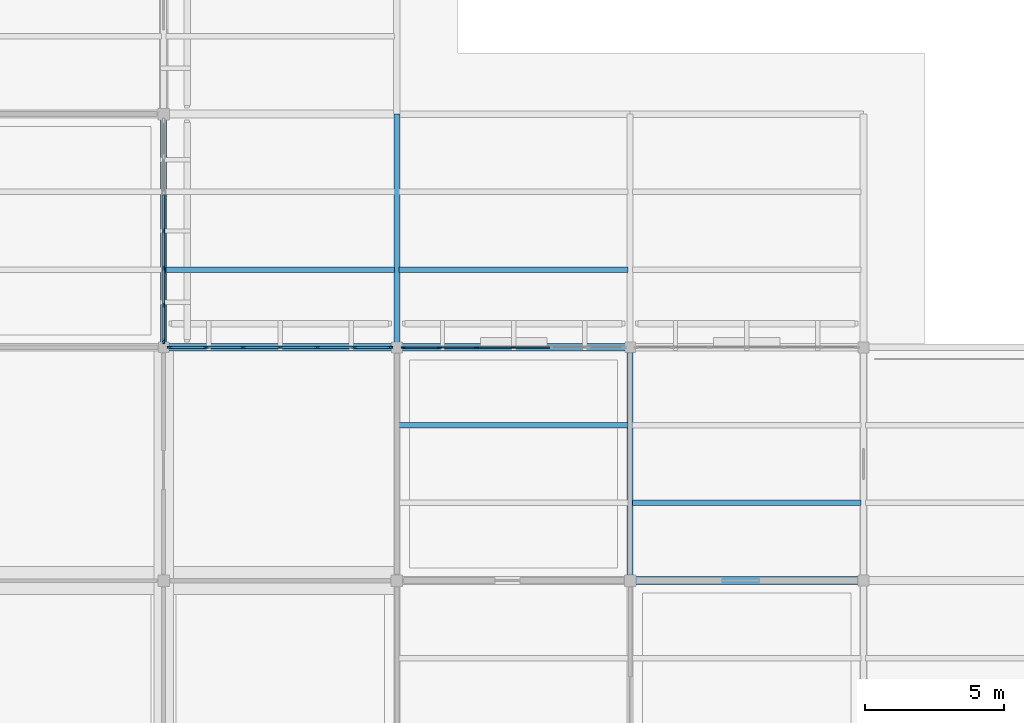
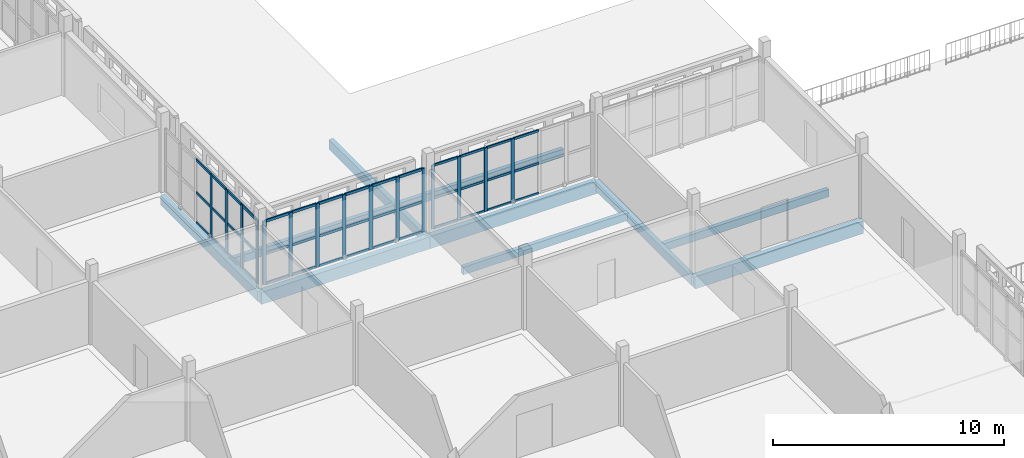
# One storey, part 27 of 166: 57 members, 10 beams, 3 elements without a shape of their own.
"""IFC4 building model written with IfcOpenShell, lengths in metres."""

from ifc_helpers import new_model, si_unit, direction, frame, origin, origin_2d, place, context, subcontext, project, spatial, rectangle, extrude, material, layer, layer_set, material_profile, profile_set, type_object, element, aggregate, save


model = new_model("IFC4")

# Units and contexts
model_context = context("Model", 3, precision=1e-05, world=origin(), true_north=direction((0.0, 1.0)))
body_context = subcontext(model_context, "Body", "Model", "MODEL_VIEW")
ifc_project = project(units=[si_unit("LENGTHUNIT", "METRE"), si_unit("AREAUNIT", "SQUARE_METRE"), si_unit("VOLUMEUNIT", "CUBIC_METRE"), si_unit("PLANEANGLEUNIT", "RADIAN"), si_unit("MASSUNIT", "GRAM", prefix="KILO")], contexts=[model_context])

# Site, building, storey
site_placement = place(None, origin())
site = spatial("IfcSite", under=ifc_project, at=site_placement, CompositionType="ELEMENT")
building_placement = place(site_placement, origin())
building = spatial("IfcBuilding", under=site, at=building_placement, Name="Varnapada Polytechnic", CompositionType="ELEMENT")
storey_placement = place(building_placement, frame((0.0, 0.0, 9.60009765625)))
storey = spatial("IfcBuildingStorey", under=building, at=storey_placement, Name="L02", CompositionType="ELEMENT", Elevation=9.60009765625)

# Beams
ifc_material_1 = material(Name="Glulam GL32h", Category="wood")
ifc_material_profile_1 = material_profile(ifc_material_1, rectangle(XDim=0.280029296875, YDim=0.639892578125, at=origin_2d()), Name="GL 280x640")
ifc_profile_set_1 = profile_set([ifc_material_profile_1], Name="Glulam GL32h")
beam_type_1 = type_object("IfcBeamType", Name="Laboratory primary glulam girder GG-02 (GL 280x640)", PredefinedType="BEAM", material=ifc_profile_set_1)
for number, where, z_axis, x_axis, name in (
    (1, (33.60009765625, 42.0, -0.590087890625), (1.0, 0.0, 0.0), (0.0, 1.0, 0.0), "L02 beam X 5-6 at Y6"),
    (2, (42.0, 42.0, -0.590087890625), (1.0, 0.0, 0.0), (0.0, 1.0, 0.0), "L02 beam X 6-7 at Y6"),
):
    element("IfcBeam", number, at=place(storey_placement, frame(where, z_axis=z_axis, x_axis=x_axis)), inside=storey, type_object=beam_type_1, Name=name, PredefinedType="BEAM", context=body_context, shape_type="SweptSolid", body=[
        extrude(rectangle(XDim=0.280029296875, YDim=0.639892578125, at=origin_2d()), origin(), (0.0, 0.0, 1.0), 8.39990234375),
    ])
beam_1_placement = place(storey_placement, frame((50.39990234375, 33.60009765625, -0.56005859375), z_axis=(1.0, 0.0, 0.0), x_axis=(0.0, 1.0, 0.0)))
element("IfcBeam", 3, at=beam_1_placement, inside=storey, type_object=beam_type_1, Name="L02 beam X 7-8 at Y5", PredefinedType="BEAM", context=body_context, shape_type="SweptSolid", body=[
    extrude(rectangle(XDim=0.280029296875, YDim=0.639892578125, at=origin_2d()), origin(), (0.0, 0.0, 1.0), 8.400146484375),
])
ifc_material_profile_2 = material_profile(ifc_material_1, rectangle(XDim=0.219970703125, YDim=0.52001953125, at=origin_2d()), Name="GL 220x520")
ifc_profile_set_2 = profile_set([ifc_material_profile_2], Name="Glulam GL32h")
beam_type_2 = type_object("IfcBeamType", Name="Laboratory transverse glulam beam GB-12 (GL 220x520)", PredefinedType="BEAM", material=ifc_profile_set_2)
for number, where, z_axis, x_axis, name in (
    (4, (33.60009765625, 42.0, -0.530029296875), (0.0, 1.0, 0.0), (-1.0, 0.0, 0.0), "L02 beam Y 6-7 at X5"),
    (5, (42.0, 42.0, -0.530029296875), (0.0, 1.0, 0.0), (-1.0, 0.0, 0.0), "L02 beam Y 6-7 at X6"),
):
    element("IfcBeam", number, at=place(storey_placement, frame(where, z_axis=z_axis, x_axis=x_axis)), inside=storey, type_object=beam_type_2, Name=name, PredefinedType="BEAM", context=body_context, shape_type="SweptSolid", body=[
        extrude(rectangle(XDim=0.219970703125, YDim=0.52001953125, at=origin_2d()), origin(), (0.0, 0.0, 1.0), 8.39990234375),
    ])
ifc_material_profile_3 = material_profile(ifc_material_1, rectangle(XDim=0.199951171875, YDim=0.39990234375, at=origin_2d()), Name="GL 200x400")
ifc_profile_set_3 = profile_set([ifc_material_profile_3], Name="Glulam GL32h")
beam_type_3 = type_object("IfcBeamType", Name="Library/laboratory glulam floor joist GJ-01 (GL 200x400)", PredefinedType="JOIST", material=ifc_profile_set_3)
for number, where, z_axis, x_axis, name in (
    (6, (33.679931640625, 44.800048828125, -0.47021484375), (1.0, 0.0, 0.0), (0.0, 1.0, 0.0), "L02 floor joist 5/6.1"),
    (7, (42.080078125, 39.199951171875, -0.440185546875), (1.0, 0.0, 0.0), (0.0, 1.0, 0.0), "L02 floor joist 6/5.2"),
    (8, (42.080078125, 44.800048828125, -0.47021484375), (1.0, 0.0, 0.0), (0.0, 1.0, 0.0), "L02 floor joist 6/6.1"),
    (9, (50.47998046875, 36.39990234375, -0.440185546875), (1.0, 0.0, 0.0), (0.0, 1.0, 0.0), "L02 floor joist 7/5.1"),
):
    element("IfcBeam", number, at=place(storey_placement, frame(where, z_axis=z_axis, x_axis=x_axis)), inside=storey, type_object=beam_type_3, Name=name, PredefinedType="JOIST", context=body_context, shape_type="SweptSolid", body=[
        extrude(rectangle(XDim=0.199951171875, YDim=0.39990234375, at=origin_2d()), origin(), (0.0, 0.0, 1.0), 8.239990234375),
    ])

# Curtain wall, members
ifc_material_2 = material(Name="Double low-E laminated glass", Category="glass")
ifc_layer_1 = layer(ifc_material_2, 0.159912109375)
ifc_layer_set_1 = layer_set([ifc_layer_1], Name="Double low-E laminated glass")
curtain_wall_type_1 = type_object("IfcCurtainWallType", Name="Curtain Wall CW-01", PredefinedType="NOTDEFINED", material=ifc_layer_set_1)
curtain_wall_1_placement = place(storey_placement, origin())
curtain_wall_1 = element("IfcCurtainWall", 10, at=curtain_wall_1_placement, inside=storey, type_object=curtain_wall_type_1, Name="L02 unitised curtain wall CW-01 (154)", PredefinedType="NOTDEFINED")
ifc_material_3 = material(Name="Anodised aluminium", Category="aluminium")
ifc_material_profile_4 = material_profile(ifc_material_3, rectangle(XDim=0.06005859375, YDim=0.159912109375, at=origin_2d()), Name="ALU M60x160")
ifc_profile_set_4 = profile_set([ifc_material_profile_4], Name="Anodised aluminium")
member_type_1 = type_object("IfcMemberType", Name="Mullion M-01", PredefinedType="MULLION", material=ifc_profile_set_4)
member_1_placement = place(storey_placement, frame((42.22998046875, 42.0, 0.0), z_axis=(0.0, 0.0, 1.0), x_axis=(0.0, 1.0, 0.0)))
member_1 = element("IfcMember", 11, at=member_1_placement, type_object=member_type_1, Name="CW-01 mullion 1", PredefinedType="MULLION", context=body_context, shape_type="SweptSolid", body=[
    extrude(rectangle(XDim=0.06005859375, YDim=0.159912109375, at=origin_2d()), origin(), (0.0, 0.0, 1.0), 3.35986328125),
])
member_2_placement = place(storey_placement, frame((43.534912109375, 42.0, 0.0), z_axis=(0.0, 0.0, 1.0), x_axis=(0.0, 1.0, 0.0)))
member_2 = element("IfcMember", 12, at=member_2_placement, type_object=member_type_1, Name="CW-01 mullion 2", PredefinedType="MULLION", context=body_context, shape_type="SweptSolid", body=[
    extrude(rectangle(XDim=0.06005859375, YDim=0.159912109375, at=origin_2d()), origin(), (0.0, 0.0, 1.0), 3.35986328125),
])
member_3_placement = place(storey_placement, frame((44.8701171875, 42.0, 0.0), z_axis=(0.0, 0.0, 1.0), x_axis=(0.0, 1.0, 0.0)))
member_3 = element("IfcMember", 13, at=member_3_placement, type_object=member_type_1, Name="CW-01 mullion 3", PredefinedType="MULLION", context=body_context, shape_type="SweptSolid", body=[
    extrude(rectangle(XDim=0.06005859375, YDim=0.159912109375, at=origin_2d()), origin(), (0.0, 0.0, 1.0), 3.35986328125),
])
member_4_placement = place(storey_placement, frame((46.205078125, 42.0, 0.0), z_axis=(0.0, 0.0, 1.0), x_axis=(0.0, 1.0, 0.0)))
member_4 = element("IfcMember", 14, at=member_4_placement, type_object=member_type_1, Name="CW-01 mullion 4", PredefinedType="MULLION", context=body_context, shape_type="SweptSolid", body=[
    extrude(rectangle(XDim=0.06005859375, YDim=0.159912109375, at=origin_2d()), origin(), (0.0, 0.0, 1.0), 3.35986328125),
])

ifc_layer_2 = layer(ifc_material_2, 0.179931640625)
ifc_layer_set_2 = layer_set([ifc_layer_2], Name="Double low-E laminated glass")
curtain_wall_type_2 = type_object("IfcCurtainWallType", Name="Curtain Wall CW-03", PredefinedType="NOTDEFINED", material=ifc_layer_set_2)
curtain_wall_2_placement = place(storey_placement, origin())
curtain_wall_2 = element("IfcCurtainWall", 15, at=curtain_wall_2_placement, inside=storey, type_object=curtain_wall_type_2, Name="L02 unitised curtain wall CW-03 (143)", PredefinedType="NOTDEFINED")
ifc_material_profile_5 = material_profile(ifc_material_3, rectangle(XDim=0.06494140625, YDim=0.179931640625, at=origin_2d()), Name="ALU M65x180")
ifc_profile_set_5 = profile_set([ifc_material_profile_5], Name="Anodised aluminium")
member_type_2 = type_object("IfcMemberType", Name="Mullion M-02", PredefinedType="MULLION", material=ifc_profile_set_5)
member_5_placement = place(storey_placement, frame((33.60009765625, 46.18994140625, 0.0), z_axis=(0.0, 0.0, 1.0), x_axis=(1.0, 0.0, 0.0)))
member_5 = element("IfcMember", 16, at=member_5_placement, type_object=member_type_2, Name="CW-03 mullion 4", PredefinedType="MULLION", context=body_context, shape_type="SweptSolid", body=[
    extrude(rectangle(XDim=0.06494140625, YDim=0.179931640625, at=origin_2d()), origin(), (0.0, 0.0, 1.0), 3.35986328125),
])
member_6_placement = place(storey_placement, frame((33.60009765625, 44.856689453125, 0.0), z_axis=(0.0, 0.0, 1.0), x_axis=(1.0, 0.0, 0.0)))
member_6 = element("IfcMember", 17, at=member_6_placement, type_object=member_type_2, Name="CW-03 mullion 5", PredefinedType="MULLION", context=body_context, shape_type="SweptSolid", body=[
    extrude(rectangle(XDim=0.06494140625, YDim=0.179931640625, at=origin_2d()), origin(), (0.0, 0.0, 1.0), 3.35986328125),
])
member_7_placement = place(storey_placement, frame((33.60009765625, 43.5234375, 0.0), z_axis=(0.0, 0.0, 1.0), x_axis=(1.0, 0.0, 0.0)))
member_7 = element("IfcMember", 18, at=member_7_placement, type_object=member_type_2, Name="CW-03 mullion 6", PredefinedType="MULLION", context=body_context, shape_type="SweptSolid", body=[
    extrude(rectangle(XDim=0.06494140625, YDim=0.179931640625, at=origin_2d()), origin(), (0.0, 0.0, 1.0), 3.35986328125),
])
member_8_placement = place(storey_placement, frame((33.60009765625, 42.222412109375, 0.0), z_axis=(0.0, 0.0, 1.0), x_axis=(1.0, 0.0, 0.0)))
member_8 = element("IfcMember", 19, at=member_8_placement, type_object=member_type_2, Name="CW-03 mullion 7", PredefinedType="MULLION", context=body_context, shape_type="SweptSolid", body=[
    extrude(rectangle(XDim=0.06494140625, YDim=0.179931640625, at=origin_2d()), origin(), (0.0, 0.0, 1.0), 3.35986328125),
])

curtain_wall_3_placement = place(storey_placement, origin())
curtain_wall_3 = element("IfcCurtainWall", 20, at=curtain_wall_3_placement, inside=storey, type_object=curtain_wall_type_2, Name="L02 unitised curtain wall CW-03 (152)", PredefinedType="NOTDEFINED")
member_9_placement = place(storey_placement, frame((33.822509765625, 42.0, 0.0), z_axis=(0.0, 0.0, 1.0), x_axis=(0.0, 1.0, 0.0)))
member_9 = element("IfcMember", 21, at=member_9_placement, type_object=member_type_2, Name="CW-03 mullion 1", PredefinedType="MULLION", context=body_context, shape_type="SweptSolid", body=[
    extrude(rectangle(XDim=0.06494140625, YDim=0.179931640625, at=origin_2d()), origin(), (0.0, 0.0, 1.0), 3.35986328125),
])
member_10_placement = place(storey_placement, frame((35.125, 42.0, 0.0), z_axis=(0.0, 0.0, 1.0), x_axis=(0.0, 1.0, 0.0)))
member_10 = element("IfcMember", 22, at=member_10_placement, type_object=member_type_2, Name="CW-03 mullion 2", PredefinedType="MULLION", context=body_context, shape_type="SweptSolid", body=[
    extrude(rectangle(XDim=0.06494140625, YDim=0.179931640625, at=origin_2d()), origin(), (0.0, 0.0, 1.0), 3.35986328125),
])
member_11_placement = place(storey_placement, frame((36.4599609375, 42.0, 0.0), z_axis=(0.0, 0.0, 1.0), x_axis=(0.0, 1.0, 0.0)))
member_11 = element("IfcMember", 23, at=member_11_placement, type_object=member_type_2, Name="CW-03 mullion 3", PredefinedType="MULLION", context=body_context, shape_type="SweptSolid", body=[
    extrude(rectangle(XDim=0.06494140625, YDim=0.179931640625, at=origin_2d()), origin(), (0.0, 0.0, 1.0), 3.35986328125),
])
member_12_placement = place(storey_placement, frame((37.794921875, 42.0, 0.0), z_axis=(0.0, 0.0, 1.0), x_axis=(0.0, 1.0, 0.0)))
member_12 = element("IfcMember", 24, at=member_12_placement, type_object=member_type_2, Name="CW-03 mullion 4", PredefinedType="MULLION", context=body_context, shape_type="SweptSolid", body=[
    extrude(rectangle(XDim=0.06494140625, YDim=0.179931640625, at=origin_2d()), origin(), (0.0, 0.0, 1.0), 3.35986328125),
])
member_13_placement = place(storey_placement, frame((39.1298828125, 42.0, 0.0), z_axis=(0.0, 0.0, 1.0), x_axis=(0.0, 1.0, 0.0)))
member_13 = element("IfcMember", 25, at=member_13_placement, type_object=member_type_2, Name="CW-03 mullion 5", PredefinedType="MULLION", context=body_context, shape_type="SweptSolid", body=[
    extrude(rectangle(XDim=0.06494140625, YDim=0.179931640625, at=origin_2d()), origin(), (0.0, 0.0, 1.0), 3.35986328125),
])
member_14_placement = place(storey_placement, frame((40.465087890625, 42.0, 0.0), z_axis=(0.0, 0.0, 1.0), x_axis=(0.0, 1.0, 0.0)))
member_14 = element("IfcMember", 26, at=member_14_placement, type_object=member_type_2, Name="CW-03 mullion 6", PredefinedType="MULLION", context=body_context, shape_type="SweptSolid", body=[
    extrude(rectangle(XDim=0.06494140625, YDim=0.179931640625, at=origin_2d()), origin(), (0.0, 0.0, 1.0), 3.35986328125),
])
member_15_placement = place(storey_placement, frame((41.767578125, 42.0, 0.0), z_axis=(0.0, 0.0, 1.0), x_axis=(0.0, 1.0, 0.0)))
member_15 = element("IfcMember", 27, at=member_15_placement, type_object=member_type_2, Name="CW-03 mullion 7", PredefinedType="MULLION", context=body_context, shape_type="SweptSolid", body=[
    extrude(rectangle(XDim=0.06494140625, YDim=0.179931640625, at=origin_2d()), origin(), (0.0, 0.0, 1.0), 3.35986328125),
])

# Member
ifc_material_profile_6 = material_profile(ifc_material_3, rectangle(XDim=0.06005859375, YDim=0.1201171875, at=origin_2d()), Name="ALU T60x120")
ifc_profile_set_6 = profile_set([ifc_material_profile_6], Name="Anodised aluminium")
member_type_3 = type_object("IfcMemberType", Name="Transom T-01", PredefinedType="USERDEFINED", material=ifc_profile_set_6)
member_16_placement = place(storey_placement, frame((42.260009765625, 42.0, 0.02978515625), z_axis=(1.0, 0.0, 0.0), x_axis=(0.0, 1.0, 0.0)))
member_16 = element("IfcMember", 28, at=member_16_placement, type_object=member_type_3, Name="CW-01 transom 1.1", ObjectType="TRANSOM", PredefinedType="USERDEFINED", context=body_context, shape_type="SweptSolid", body=[
    extrude(rectangle(XDim=0.06005859375, YDim=0.1201171875, at=origin_2d()), origin(), (0.0, 0.0, 1.0), 1.244873046875),
])

member_17_placement = place(storey_placement, frame((42.260009765625, 42.0, 1.61279296875), z_axis=(1.0, 0.0, 0.0), x_axis=(0.0, 1.0, 0.0)))
member_17 = element("IfcMember", 29, at=member_17_placement, type_object=member_type_3, Name="CW-01 transom 1.2", ObjectType="TRANSOM", PredefinedType="USERDEFINED", context=body_context, shape_type="SweptSolid", body=[
    extrude(rectangle(XDim=0.06005859375, YDim=0.1201171875, at=origin_2d()), origin(), (0.0, 0.0, 1.0), 1.244873046875),
])

member_18_placement = place(storey_placement, frame((42.260009765625, 42.0, 3.329833984375), z_axis=(1.0, 0.0, 0.0), x_axis=(0.0, 1.0, 0.0)))
member_18 = element("IfcMember", 30, at=member_18_placement, type_object=member_type_3, Name="CW-01 transom 1.3", ObjectType="TRANSOM", PredefinedType="USERDEFINED", context=body_context, shape_type="SweptSolid", body=[
    extrude(rectangle(XDim=0.06005859375, YDim=0.1201171875, at=origin_2d()), origin(), (0.0, 0.0, 1.0), 1.244873046875),
])

member_19_placement = place(storey_placement, frame((43.56494140625, 42.0, 0.02978515625), z_axis=(1.0, 0.0, 0.0), x_axis=(0.0, 1.0, 0.0)))
member_19 = element("IfcMember", 31, at=member_19_placement, type_object=member_type_3, Name="CW-01 transom 2.1", ObjectType="TRANSOM", PredefinedType="USERDEFINED", context=body_context, shape_type="SweptSolid", body=[
    extrude(rectangle(XDim=0.06005859375, YDim=0.1201171875, at=origin_2d()), origin(), (0.0, 0.0, 1.0), 1.275146484375),
])

member_20_placement = place(storey_placement, frame((43.56494140625, 42.0, 1.61279296875), z_axis=(1.0, 0.0, 0.0), x_axis=(0.0, 1.0, 0.0)))
member_20 = element("IfcMember", 32, at=member_20_placement, type_object=member_type_3, Name="CW-01 transom 2.2", ObjectType="TRANSOM", PredefinedType="USERDEFINED", context=body_context, shape_type="SweptSolid", body=[
    extrude(rectangle(XDim=0.06005859375, YDim=0.1201171875, at=origin_2d()), origin(), (0.0, 0.0, 1.0), 1.275146484375),
])

member_21_placement = place(storey_placement, frame((43.56494140625, 42.0, 3.329833984375), z_axis=(1.0, 0.0, 0.0), x_axis=(0.0, 1.0, 0.0)))
member_21 = element("IfcMember", 33, at=member_21_placement, type_object=member_type_3, Name="CW-01 transom 2.3", ObjectType="TRANSOM", PredefinedType="USERDEFINED", context=body_context, shape_type="SweptSolid", body=[
    extrude(rectangle(XDim=0.06005859375, YDim=0.1201171875, at=origin_2d()), origin(), (0.0, 0.0, 1.0), 1.275146484375),
])

member_22_placement = place(storey_placement, frame((44.89990234375, 42.0, 0.02978515625), z_axis=(1.0, 0.0, 0.0), x_axis=(0.0, 1.0, 0.0)))
member_22 = element("IfcMember", 34, at=member_22_placement, type_object=member_type_3, Name="CW-01 transom 3.1", ObjectType="TRANSOM", PredefinedType="USERDEFINED", context=body_context, shape_type="SweptSolid", body=[
    extrude(rectangle(XDim=0.06005859375, YDim=0.1201171875, at=origin_2d()), origin(), (0.0, 0.0, 1.0), 1.275146484375),
])

member_23_placement = place(storey_placement, frame((44.89990234375, 42.0, 1.61279296875), z_axis=(1.0, 0.0, 0.0), x_axis=(0.0, 1.0, 0.0)))
member_23 = element("IfcMember", 35, at=member_23_placement, type_object=member_type_3, Name="CW-01 transom 3.2", ObjectType="TRANSOM", PredefinedType="USERDEFINED", context=body_context, shape_type="SweptSolid", body=[
    extrude(rectangle(XDim=0.06005859375, YDim=0.1201171875, at=origin_2d()), origin(), (0.0, 0.0, 1.0), 1.275146484375),
])

member_24_placement = place(storey_placement, frame((44.89990234375, 42.0, 3.329833984375), z_axis=(1.0, 0.0, 0.0), x_axis=(0.0, 1.0, 0.0)))
member_24 = element("IfcMember", 36, at=member_24_placement, type_object=member_type_3, Name="CW-01 transom 3.3", ObjectType="TRANSOM", PredefinedType="USERDEFINED", context=body_context, shape_type="SweptSolid", body=[
    extrude(rectangle(XDim=0.06005859375, YDim=0.1201171875, at=origin_2d()), origin(), (0.0, 0.0, 1.0), 1.275146484375),
])

member_25_placement = place(storey_placement, frame((46.235107421875, 42.0, 0.02978515625), z_axis=(1.0, 0.0, 0.0), x_axis=(0.0, 1.0, 0.0)))
member_25 = element("IfcMember", 37, at=member_25_placement, type_object=member_type_3, Name="CW-01 transom 4.1", ObjectType="TRANSOM", PredefinedType="USERDEFINED", context=body_context, shape_type="SweptSolid", body=[
    extrude(rectangle(XDim=0.06005859375, YDim=0.1201171875, at=origin_2d()), origin(), (0.0, 0.0, 1.0), 1.27490234375),
])

member_26_placement = place(storey_placement, frame((46.235107421875, 42.0, 1.61279296875), z_axis=(1.0, 0.0, 0.0), x_axis=(0.0, 1.0, 0.0)))
member_26 = element("IfcMember", 38, at=member_26_placement, type_object=member_type_3, Name="CW-01 transom 4.2", ObjectType="TRANSOM", PredefinedType="USERDEFINED", context=body_context, shape_type="SweptSolid", body=[
    extrude(rectangle(XDim=0.06005859375, YDim=0.1201171875, at=origin_2d()), origin(), (0.0, 0.0, 1.0), 1.27490234375),
])

member_27_placement = place(storey_placement, frame((46.235107421875, 42.0, 3.329833984375), z_axis=(1.0, 0.0, 0.0), x_axis=(0.0, 1.0, 0.0)))
member_27 = element("IfcMember", 39, at=member_27_placement, type_object=member_type_3, Name="CW-01 transom 4.3", ObjectType="TRANSOM", PredefinedType="USERDEFINED", context=body_context, shape_type="SweptSolid", body=[
    extrude(rectangle(XDim=0.06005859375, YDim=0.1201171875, at=origin_2d()), origin(), (0.0, 0.0, 1.0), 1.27490234375),
])

aggregate(curtain_wall_1, [member_1, member_2, member_3, member_4, member_16, member_17, member_18, member_19, member_20, member_21, member_22, member_23, member_24, member_25, member_26, member_27])

ifc_material_profile_7 = material_profile(ifc_material_3, rectangle(XDim=0.06494140625, YDim=0.139892578125, at=origin_2d()), Name="ALU T65x140")
ifc_profile_set_7 = profile_set([ifc_material_profile_7], Name="Anodised aluminium")
member_type_4 = type_object("IfcMemberType", Name="Transom T-02", PredefinedType="USERDEFINED", material=ifc_profile_set_7)
member_28_placement = place(storey_placement, frame((33.60009765625, 47.49072265625, 0.032470703125), z_axis=(0.0, -1.0, 0.0), x_axis=(1.0, 0.0, 0.0)))
member_28 = element("IfcMember", 40, at=member_28_placement, type_object=member_type_4, Name="CW-03 transom 3.1", ObjectType="TRANSOM", PredefinedType="USERDEFINED", context=body_context, shape_type="SweptSolid", body=[
    extrude(rectangle(XDim=0.06494140625, YDim=0.139892578125, at=origin_2d()), origin(), (0.0, 0.0, 1.0), 1.268310546875),
])

member_29_placement = place(storey_placement, frame((33.60009765625, 47.49072265625, 1.61279296875), z_axis=(0.0, -1.0, 0.0), x_axis=(1.0, 0.0, 0.0)))
member_29 = element("IfcMember", 41, at=member_29_placement, type_object=member_type_4, Name="CW-03 transom 3.2", ObjectType="TRANSOM", PredefinedType="USERDEFINED", context=body_context, shape_type="SweptSolid", body=[
    extrude(rectangle(XDim=0.06494140625, YDim=0.139892578125, at=origin_2d()), origin(), (0.0, 0.0, 1.0), 1.268310546875),
])

member_30_placement = place(storey_placement, frame((33.60009765625, 47.49072265625, 3.327392578125), z_axis=(0.0, -1.0, 0.0), x_axis=(1.0, 0.0, 0.0)))
member_30 = element("IfcMember", 42, at=member_30_placement, type_object=member_type_4, Name="CW-03 transom 3.3", ObjectType="TRANSOM", PredefinedType="USERDEFINED", context=body_context, shape_type="SweptSolid", body=[
    extrude(rectangle(XDim=0.06494140625, YDim=0.139892578125, at=origin_2d()), origin(), (0.0, 0.0, 1.0), 1.268310546875),
])

member_31_placement = place(storey_placement, frame((33.60009765625, 46.157470703125, 0.032470703125), z_axis=(0.0, -1.0, 0.0), x_axis=(1.0, 0.0, 0.0)))
member_31 = element("IfcMember", 43, at=member_31_placement, type_object=member_type_4, Name="CW-03 transom 4.1", ObjectType="TRANSOM", PredefinedType="USERDEFINED", context=body_context, shape_type="SweptSolid", body=[
    extrude(rectangle(XDim=0.06494140625, YDim=0.139892578125, at=origin_2d()), origin(), (0.0, 0.0, 1.0), 1.268310546875),
])

member_32_placement = place(storey_placement, frame((33.60009765625, 46.157470703125, 1.61279296875), z_axis=(0.0, -1.0, 0.0), x_axis=(1.0, 0.0, 0.0)))
member_32 = element("IfcMember", 44, at=member_32_placement, type_object=member_type_4, Name="CW-03 transom 4.2", ObjectType="TRANSOM", PredefinedType="USERDEFINED", context=body_context, shape_type="SweptSolid", body=[
    extrude(rectangle(XDim=0.06494140625, YDim=0.139892578125, at=origin_2d()), origin(), (0.0, 0.0, 1.0), 1.268310546875),
])

member_33_placement = place(storey_placement, frame((33.60009765625, 46.157470703125, 3.327392578125), z_axis=(0.0, -1.0, 0.0), x_axis=(1.0, 0.0, 0.0)))
member_33 = element("IfcMember", 45, at=member_33_placement, type_object=member_type_4, Name="CW-03 transom 4.3", ObjectType="TRANSOM", PredefinedType="USERDEFINED", context=body_context, shape_type="SweptSolid", body=[
    extrude(rectangle(XDim=0.06494140625, YDim=0.139892578125, at=origin_2d()), origin(), (0.0, 0.0, 1.0), 1.268310546875),
])

member_34_placement = place(storey_placement, frame((33.60009765625, 44.82421875, 0.032470703125), z_axis=(0.0, -1.0, 0.0), x_axis=(1.0, 0.0, 0.0)))
member_34 = element("IfcMember", 46, at=member_34_placement, type_object=member_type_4, Name="CW-03 transom 5.1", ObjectType="TRANSOM", PredefinedType="USERDEFINED", context=body_context, shape_type="SweptSolid", body=[
    extrude(rectangle(XDim=0.06494140625, YDim=0.139892578125, at=origin_2d()), origin(), (0.0, 0.0, 1.0), 1.268310546875),
])

member_35_placement = place(storey_placement, frame((33.60009765625, 44.82421875, 1.61279296875), z_axis=(0.0, -1.0, 0.0), x_axis=(1.0, 0.0, 0.0)))
member_35 = element("IfcMember", 47, at=member_35_placement, type_object=member_type_4, Name="CW-03 transom 5.2", ObjectType="TRANSOM", PredefinedType="USERDEFINED", context=body_context, shape_type="SweptSolid", body=[
    extrude(rectangle(XDim=0.06494140625, YDim=0.139892578125, at=origin_2d()), origin(), (0.0, 0.0, 1.0), 1.268310546875),
])

member_36_placement = place(storey_placement, frame((33.60009765625, 44.82421875, 3.327392578125), z_axis=(0.0, -1.0, 0.0), x_axis=(1.0, 0.0, 0.0)))
member_36 = element("IfcMember", 48, at=member_36_placement, type_object=member_type_4, Name="CW-03 transom 5.3", ObjectType="TRANSOM", PredefinedType="USERDEFINED", context=body_context, shape_type="SweptSolid", body=[
    extrude(rectangle(XDim=0.06494140625, YDim=0.139892578125, at=origin_2d()), origin(), (0.0, 0.0, 1.0), 1.268310546875),
])

member_37_placement = place(storey_placement, frame((33.60009765625, 43.49072265625, 0.032470703125), z_axis=(0.0, -1.0, 0.0), x_axis=(1.0, 0.0, 0.0)))
member_37 = element("IfcMember", 49, at=member_37_placement, type_object=member_type_4, Name="CW-03 transom 6.1", ObjectType="TRANSOM", PredefinedType="USERDEFINED", context=body_context, shape_type="SweptSolid", body=[
    extrude(rectangle(XDim=0.06494140625, YDim=0.139892578125, at=origin_2d()), origin(), (0.0, 0.0, 1.0), 1.23583984375),
])

member_38_placement = place(storey_placement, frame((33.60009765625, 43.49072265625, 1.61279296875), z_axis=(0.0, -1.0, 0.0), x_axis=(1.0, 0.0, 0.0)))
member_38 = element("IfcMember", 50, at=member_38_placement, type_object=member_type_4, Name="CW-03 transom 6.2", ObjectType="TRANSOM", PredefinedType="USERDEFINED", context=body_context, shape_type="SweptSolid", body=[
    extrude(rectangle(XDim=0.06494140625, YDim=0.139892578125, at=origin_2d()), origin(), (0.0, 0.0, 1.0), 1.23583984375),
])

member_39_placement = place(storey_placement, frame((33.60009765625, 43.49072265625, 3.327392578125), z_axis=(0.0, -1.0, 0.0), x_axis=(1.0, 0.0, 0.0)))
member_39 = element("IfcMember", 51, at=member_39_placement, type_object=member_type_4, Name="CW-03 transom 6.3", ObjectType="TRANSOM", PredefinedType="USERDEFINED", context=body_context, shape_type="SweptSolid", body=[
    extrude(rectangle(XDim=0.06494140625, YDim=0.139892578125, at=origin_2d()), origin(), (0.0, 0.0, 1.0), 1.23583984375),
])

aggregate(curtain_wall_2, [member_5, member_6, member_7, member_8, member_28, member_29, member_30, member_31, member_32, member_33, member_34, member_35, member_36, member_37, member_38, member_39])

member_40_placement = place(storey_placement, frame((33.85498046875, 42.0, 0.032470703125), z_axis=(1.0, 0.0, 0.0), x_axis=(0.0, 1.0, 0.0)))
member_40 = element("IfcMember", 52, at=member_40_placement, type_object=member_type_4, Name="CW-03 transom 1.1", ObjectType="TRANSOM", PredefinedType="USERDEFINED", context=body_context, shape_type="SweptSolid", body=[
    extrude(rectangle(XDim=0.06494140625, YDim=0.139892578125, at=origin_2d()), origin(), (0.0, 0.0, 1.0), 1.237548828125),
])

member_41_placement = place(storey_placement, frame((33.85498046875, 42.0, 1.61279296875), z_axis=(1.0, 0.0, 0.0), x_axis=(0.0, 1.0, 0.0)))
member_41 = element("IfcMember", 53, at=member_41_placement, type_object=member_type_4, Name="CW-03 transom 1.2", ObjectType="TRANSOM", PredefinedType="USERDEFINED", context=body_context, shape_type="SweptSolid", body=[
    extrude(rectangle(XDim=0.06494140625, YDim=0.139892578125, at=origin_2d()), origin(), (0.0, 0.0, 1.0), 1.237548828125),
])

member_42_placement = place(storey_placement, frame((33.85498046875, 42.0, 3.327392578125), z_axis=(1.0, 0.0, 0.0), x_axis=(0.0, 1.0, 0.0)))
member_42 = element("IfcMember", 54, at=member_42_placement, type_object=member_type_4, Name="CW-03 transom 1.3", ObjectType="TRANSOM", PredefinedType="USERDEFINED", context=body_context, shape_type="SweptSolid", body=[
    extrude(rectangle(XDim=0.06494140625, YDim=0.139892578125, at=origin_2d()), origin(), (0.0, 0.0, 1.0), 1.237548828125),
])

member_43_placement = place(storey_placement, frame((35.157470703125, 42.0, 0.032470703125), z_axis=(1.0, 0.0, 0.0), x_axis=(0.0, 1.0, 0.0)))
member_43 = element("IfcMember", 55, at=member_43_placement, type_object=member_type_4, Name="CW-03 transom 2.1", ObjectType="TRANSOM", PredefinedType="USERDEFINED", context=body_context, shape_type="SweptSolid", body=[
    extrude(rectangle(XDim=0.06494140625, YDim=0.139892578125, at=origin_2d()), origin(), (0.0, 0.0, 1.0), 1.27001953125),
])

member_44_placement = place(storey_placement, frame((35.157470703125, 42.0, 1.61279296875), z_axis=(1.0, 0.0, 0.0), x_axis=(0.0, 1.0, 0.0)))
member_44 = element("IfcMember", 56, at=member_44_placement, type_object=member_type_4, Name="CW-03 transom 2.2", ObjectType="TRANSOM", PredefinedType="USERDEFINED", context=body_context, shape_type="SweptSolid", body=[
    extrude(rectangle(XDim=0.06494140625, YDim=0.139892578125, at=origin_2d()), origin(), (0.0, 0.0, 1.0), 1.27001953125),
])

member_45_placement = place(storey_placement, frame((35.157470703125, 42.0, 3.327392578125), z_axis=(1.0, 0.0, 0.0), x_axis=(0.0, 1.0, 0.0)))
member_45 = element("IfcMember", 57, at=member_45_placement, type_object=member_type_4, Name="CW-03 transom 2.3", ObjectType="TRANSOM", PredefinedType="USERDEFINED", context=body_context, shape_type="SweptSolid", body=[
    extrude(rectangle(XDim=0.06494140625, YDim=0.139892578125, at=origin_2d()), origin(), (0.0, 0.0, 1.0), 1.27001953125),
])

member_46_placement = place(storey_placement, frame((36.492431640625, 42.0, 0.032470703125), z_axis=(1.0, 0.0, 0.0), x_axis=(0.0, 1.0, 0.0)))
member_46 = element("IfcMember", 58, at=member_46_placement, type_object=member_type_4, Name="CW-03 transom 3.1", ObjectType="TRANSOM", PredefinedType="USERDEFINED", context=body_context, shape_type="SweptSolid", body=[
    extrude(rectangle(XDim=0.06494140625, YDim=0.139892578125, at=origin_2d()), origin(), (0.0, 0.0, 1.0), 1.27001953125),
])

member_47_placement = place(storey_placement, frame((36.492431640625, 42.0, 1.61279296875), z_axis=(1.0, 0.0, 0.0), x_axis=(0.0, 1.0, 0.0)))
member_47 = element("IfcMember", 59, at=member_47_placement, type_object=member_type_4, Name="CW-03 transom 3.2", ObjectType="TRANSOM", PredefinedType="USERDEFINED", context=body_context, shape_type="SweptSolid", body=[
    extrude(rectangle(XDim=0.06494140625, YDim=0.139892578125, at=origin_2d()), origin(), (0.0, 0.0, 1.0), 1.27001953125),
])

member_48_placement = place(storey_placement, frame((36.492431640625, 42.0, 3.327392578125), z_axis=(1.0, 0.0, 0.0), x_axis=(0.0, 1.0, 0.0)))
member_48 = element("IfcMember", 60, at=member_48_placement, type_object=member_type_4, Name="CW-03 transom 3.3", ObjectType="TRANSOM", PredefinedType="USERDEFINED", context=body_context, shape_type="SweptSolid", body=[
    extrude(rectangle(XDim=0.06494140625, YDim=0.139892578125, at=origin_2d()), origin(), (0.0, 0.0, 1.0), 1.27001953125),
])

member_49_placement = place(storey_placement, frame((37.827392578125, 42.0, 0.032470703125), z_axis=(1.0, 0.0, 0.0), x_axis=(0.0, 1.0, 0.0)))
member_49 = element("IfcMember", 61, at=member_49_placement, type_object=member_type_4, Name="CW-03 transom 4.1", ObjectType="TRANSOM", PredefinedType="USERDEFINED", context=body_context, shape_type="SweptSolid", body=[
    extrude(rectangle(XDim=0.06494140625, YDim=0.139892578125, at=origin_2d()), origin(), (0.0, 0.0, 1.0), 1.27001953125),
])

member_50_placement = place(storey_placement, frame((37.827392578125, 42.0, 1.61279296875), z_axis=(1.0, 0.0, 0.0), x_axis=(0.0, 1.0, 0.0)))
member_50 = element("IfcMember", 62, at=member_50_placement, type_object=member_type_4, Name="CW-03 transom 4.2", ObjectType="TRANSOM", PredefinedType="USERDEFINED", context=body_context, shape_type="SweptSolid", body=[
    extrude(rectangle(XDim=0.06494140625, YDim=0.139892578125, at=origin_2d()), origin(), (0.0, 0.0, 1.0), 1.27001953125),
])

member_51_placement = place(storey_placement, frame((37.827392578125, 42.0, 3.327392578125), z_axis=(1.0, 0.0, 0.0), x_axis=(0.0, 1.0, 0.0)))
member_51 = element("IfcMember", 63, at=member_51_placement, type_object=member_type_4, Name="CW-03 transom 4.3", ObjectType="TRANSOM", PredefinedType="USERDEFINED", context=body_context, shape_type="SweptSolid", body=[
    extrude(rectangle(XDim=0.06494140625, YDim=0.139892578125, at=origin_2d()), origin(), (0.0, 0.0, 1.0), 1.27001953125),
])

member_52_placement = place(storey_placement, frame((39.16259765625, 42.0, 0.032470703125), z_axis=(1.0, 0.0, 0.0), x_axis=(0.0, 1.0, 0.0)))
member_52 = element("IfcMember", 64, at=member_52_placement, type_object=member_type_4, Name="CW-03 transom 5.1", ObjectType="TRANSOM", PredefinedType="USERDEFINED", context=body_context, shape_type="SweptSolid", body=[
    extrude(rectangle(XDim=0.06494140625, YDim=0.139892578125, at=origin_2d()), origin(), (0.0, 0.0, 1.0), 1.27001953125),
])

member_53_placement = place(storey_placement, frame((39.16259765625, 42.0, 1.61279296875), z_axis=(1.0, 0.0, 0.0), x_axis=(0.0, 1.0, 0.0)))
member_53 = element("IfcMember", 65, at=member_53_placement, type_object=member_type_4, Name="CW-03 transom 5.2", ObjectType="TRANSOM", PredefinedType="USERDEFINED", context=body_context, shape_type="SweptSolid", body=[
    extrude(rectangle(XDim=0.06494140625, YDim=0.139892578125, at=origin_2d()), origin(), (0.0, 0.0, 1.0), 1.27001953125),
])

member_54_placement = place(storey_placement, frame((39.16259765625, 42.0, 3.327392578125), z_axis=(1.0, 0.0, 0.0), x_axis=(0.0, 1.0, 0.0)))
member_54 = element("IfcMember", 66, at=member_54_placement, type_object=member_type_4, Name="CW-03 transom 5.3", ObjectType="TRANSOM", PredefinedType="USERDEFINED", context=body_context, shape_type="SweptSolid", body=[
    extrude(rectangle(XDim=0.06494140625, YDim=0.139892578125, at=origin_2d()), origin(), (0.0, 0.0, 1.0), 1.27001953125),
])

member_55_placement = place(storey_placement, frame((40.49755859375, 42.0, 0.032470703125), z_axis=(1.0, 0.0, 0.0), x_axis=(0.0, 1.0, 0.0)))
member_55 = element("IfcMember", 67, at=member_55_placement, type_object=member_type_4, Name="CW-03 transom 6.1", ObjectType="TRANSOM", PredefinedType="USERDEFINED", context=body_context, shape_type="SweptSolid", body=[
    extrude(rectangle(XDim=0.06494140625, YDim=0.139892578125, at=origin_2d()), origin(), (0.0, 0.0, 1.0), 1.237548828125),
])

member_56_placement = place(storey_placement, frame((40.49755859375, 42.0, 1.61279296875), z_axis=(1.0, 0.0, 0.0), x_axis=(0.0, 1.0, 0.0)))
member_56 = element("IfcMember", 68, at=member_56_placement, type_object=member_type_4, Name="CW-03 transom 6.2", ObjectType="TRANSOM", PredefinedType="USERDEFINED", context=body_context, shape_type="SweptSolid", body=[
    extrude(rectangle(XDim=0.06494140625, YDim=0.139892578125, at=origin_2d()), origin(), (0.0, 0.0, 1.0), 1.237548828125),
])

member_57_placement = place(storey_placement, frame((40.49755859375, 42.0, 3.327392578125), z_axis=(1.0, 0.0, 0.0), x_axis=(0.0, 1.0, 0.0)))
member_57 = element("IfcMember", 69, at=member_57_placement, type_object=member_type_4, Name="CW-03 transom 6.3", ObjectType="TRANSOM", PredefinedType="USERDEFINED", context=body_context, shape_type="SweptSolid", body=[
    extrude(rectangle(XDim=0.06494140625, YDim=0.139892578125, at=origin_2d()), origin(), (0.0, 0.0, 1.0), 1.237548828125),
])

aggregate(curtain_wall_3, [member_9, member_10, member_11, member_12, member_13, member_14, member_15, member_40, member_41, member_42, member_43, member_44, member_45, member_46, member_47, member_48, member_49, member_50, member_51, member_52, member_53, member_54, member_55, member_56, member_57])

# Beam
ifc_material_profile_8 = material_profile(ifc_material_1, rectangle(XDim=0.219970703125, YDim=0.47998046875, at=origin_2d()), Name="GL 220x480")
ifc_profile_set_8 = profile_set([ifc_material_profile_8], Name="Glulam GL32h")
beam_type_4 = type_object("IfcBeamType", Name="Upper floor glulam tie beam GB-11 (GL 220x480)", PredefinedType="BEAM", material=ifc_profile_set_8)
beam_2_placement = place(storey_placement, frame((50.39990234375, 33.60009765625, -0.510009765625), z_axis=(0.0, 1.0, 0.0), x_axis=(-1.0, 0.0, 0.0)))
element("IfcBeam", 70, at=beam_2_placement, inside=storey, type_object=beam_type_4, Name="L02 beam Y 5-6 at X7", PredefinedType="BEAM", context=body_context, shape_type="SweptSolid", body=[
    extrude(rectangle(XDim=0.219970703125, YDim=0.47998046875, at=origin_2d()), origin(), (0.0, 0.0, 1.0), 8.39990234375),
])

save(model, "model.ifc")
